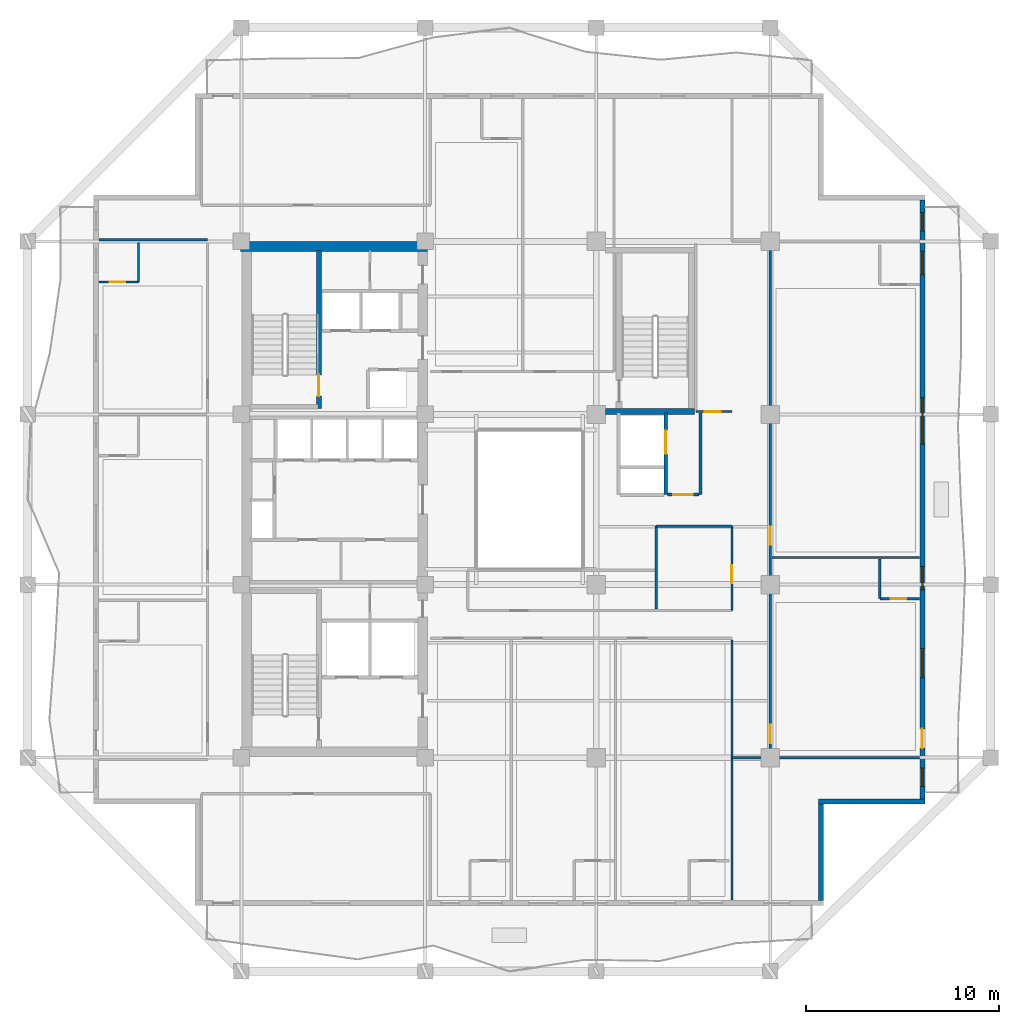
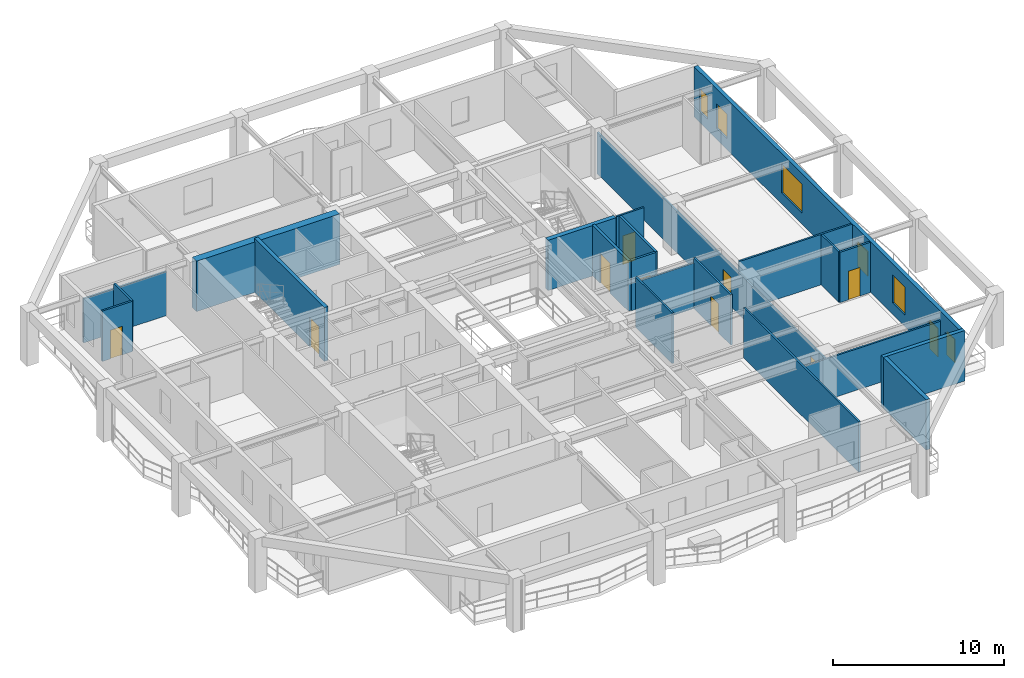
# One storey, part 5 of 13: 22 walls, 10 doors, 6 windows, 16 openings.
"""IFC4 building model written with IfcOpenShell, lengths in metres."""

from ifc_helpers import new_model, si_unit, direction, frame, frame_2d, origin, place, context, subcontext, project, spatial, rectangle, extrude, material, layer, layer_set, type_object, element, fill, save


model = new_model("IFC4")

# Units and contexts
model_context = context("Model", 3, precision=1e-05, world=origin(), true_north=direction((0.0, 1.0)))
body_context = subcontext(model_context, "Body", "Model", "MODEL_VIEW")
ifc_project = project(units=[si_unit("LENGTHUNIT", "METRE"), si_unit("AREAUNIT", "SQUARE_METRE"), si_unit("VOLUMEUNIT", "CUBIC_METRE"), si_unit("PLANEANGLEUNIT", "RADIAN"), si_unit("MASSUNIT", "GRAM", prefix="KILO")], contexts=[model_context])

# Site, building, storey
site_placement = place(None, origin())
site = spatial("IfcSite", under=ifc_project, at=site_placement, CompositionType="ELEMENT")
building_placement = place(site_placement, origin())
building = spatial("IfcBuilding", under=site, at=building_placement, Name="Kundavana Baori Tower", CompositionType="ELEMENT")
storey_placement = place(building_placement, frame((0.0, 0.0, 177.14990234375)))
storey = spatial("IfcBuildingStorey", under=building, at=storey_placement, Name="L43", CompositionType="ELEMENT", Elevation=177.14990234375)

# Wall, opening, door
ifc_material_1 = material(Name="Concrete C50/60", Category="concrete")
ifc_layer_1 = layer(ifc_material_1, 0.39990234375, Name="WL-CORE-400")
ifc_layer_set_1 = layer_set([ifc_layer_1], Name="Concrete C50/60")
wall_type_1 = type_object("IfcWallType", Name="WL-CORE-400", PredefinedType="SHEAR", material=ifc_layer_set_1)
wall_1_placement = place(storey_placement, frame((19.4599609375, 33.300048828125, 0.0), z_axis=(0.0, 0.0, 1.0), x_axis=(0.0, 1.0, 0.0)))
wall_1 = element("IfcWall", 1, at=wall_1_placement, inside=storey, type_object=wall_type_1, Name="WL-L43-ST2-E", PredefinedType="SHEAR", context=body_context, shape_type="SweptSolid", body=[
    extrude(rectangle(XDim=8.179931640625, YDim=0.239990234375, at=frame_2d((4.08984375, 0.0))), origin(), (0.0, 0.0, 1.0), 3.85009765625),
])
opening_1_placement = place(wall_1_placement, frame((0.64990234375, 0.0, 0.0)))
opening_1 = element("IfcOpeningElement", 2, at=opening_1_placement, cuts=wall_1, Name="Opening FD-110", PredefinedType="OPENING", context=body_context, shape_type="SweptSolid", body=[
    extrude(rectangle(XDim=1.10009765625, YDim=2.10009765625, at=frame_2d((0.550048828125, 1.050048828125))), frame((0.0, 0.1298828125, 0.0), z_axis=(0.0, -1.0, 0.0), x_axis=(1.0, 0.0, 0.0)), (0.0, 0.0, 1.0), 0.260009765625),
])
ifc_material_2 = material(Name="Galvanised Steel Fire-Rated Door Leaf", Category="steel")
door_type_1 = type_object("IfcDoorType", Name="DR-FD120-1100", OperationType="NOTDEFINED", PredefinedType="DOOR", material=ifc_material_2)
door_1_placement = place(opening_1_placement, origin())
door_1 = element("IfcDoor", 3, at=door_1_placement, inside=storey, type_object=door_type_1, Name="DR-L43-ST2", OperationType="SINGLE_SWING_RIGHT", OverallHeight=2.10009765625, OverallWidth=1.10009765625, PredefinedType="DOOR", context=body_context, shape_type="SweptSolid", body=[
    extrude(rectangle(XDim=1.10009765625, YDim=2.10009765625, at=frame_2d((0.550048828125, 1.050048828125))), frame((0.0, 0.02490234375, 0.0), z_axis=(0.0, -1.0, 0.0), x_axis=(1.0, 0.0, 0.0)), (0.0, 0.0, 1.0), 0.050048828125),
])
fill(opening_1, door_1)

# Walls
ifc_material_3 = material(Name="Concrete C50/60", Category="concrete")
ifc_layer_2 = layer(ifc_material_3, 0.5, Name="WL-CORE-500")
ifc_layer_set_2 = layer_set([ifc_layer_2], Name="Concrete C50/60")
wall_type_2 = type_object("IfcWallType", Name="WL-CORE-500", PredefinedType="SHEAR", material=ifc_layer_set_2)
wall_2_placement = place(storey_placement, frame((15.39990234375, 41.68994140625, 0.0), z_axis=(0.0, 0.0, 1.0), x_axis=(1.0, 0.0, 0.0)))
element("IfcWall", 4, at=wall_2_placement, inside=storey, type_object=wall_type_2, Name="L43 Offset Core North Shear Wall", PredefinedType="SHEAR", context=body_context, shape_type="SweptSolid", body=[
    extrude(rectangle(XDim=9.68017578125, YDim=0.5, at=frame_2d((4.840087890625, 0.0))), origin(), (0.0, 0.0, 1.0), 3.60009765625),
])
ifc_material_4 = material(Name="Kiln-Fired Terracotta Brick-Slip Masonry on Concrete C40/50", Category="masonry")
ifc_layer_3 = layer(ifc_material_4, 0.260009765625, Name="WL-EXT-BRK-260")
ifc_layer_set_3 = layer_set([ifc_layer_3], Name="Kiln-Fired Terracotta Brick-Slip Masonry on Concrete C40/50")
wall_type_3 = type_object("IfcWallType", Name="WL-EXT-BRK-260", PredefinedType="SOLIDWALL", material=ifc_layer_set_3)
wall_3_placement = place(storey_placement, frame((45.419921875, 7.860107421875, 0.0), z_axis=(0.0, 0.0, 1.0), x_axis=(0.0, 1.0, 0.0)))
element("IfcWall", 5, at=wall_3_placement, inside=storey, type_object=wall_type_3, Name="L43 Exterior Insulated Facade Wall 02", PredefinedType="SOLIDWALL", context=body_context, shape_type="SweptSolid", body=[
    extrude(rectangle(XDim=4.989990234375, YDim=0.260009765625, at=frame_2d((2.4951171875, 0.0))), origin(), (0.0, 0.0, 1.0), 3.60009765625),
])
wall_4_placement = place(storey_placement, frame((45.2900390625, 12.97998046875, 0.0), z_axis=(0.0, 0.0, 1.0), x_axis=(1.0, 0.0, 0.0)))
element("IfcWall", 6, at=wall_4_placement, inside=storey, type_object=wall_type_3, Name="L43 Exterior Insulated Facade Wall 03", PredefinedType="SOLIDWALL", context=body_context, shape_type="SweptSolid", body=[
    extrude(rectangle(XDim=5.510009765625, YDim=0.260009765625, at=frame_2d((2.7548828125, 0.0))), origin(), (0.0, 0.0, 1.0), 3.60009765625),
])

# Wall, openings, door, windows
wall_5_placement = place(storey_placement, frame((50.669921875, 13.110107421875, 0.0), z_axis=(0.0, 0.0, 1.0), x_axis=(0.0, 1.0, 0.0)))
wall_5 = element("IfcWall", 7, at=wall_5_placement, inside=storey, type_object=wall_type_3, Name="L43 Exterior Insulated Facade Wall 04", PredefinedType="SOLIDWALL", context=body_context, shape_type="SweptSolid", body=[
    extrude(rectangle(XDim=30.97998046875, YDim=0.260009765625, at=frame_2d((15.489990234375, 0.0))), origin(), (0.0, 0.0, 1.0), 3.60009765625),
])
opening_2_placement = place(wall_5_placement, frame((0.64990234375, 0.0, 0.800048828125)))
opening_2 = element("IfcOpeningElement", 8, at=opening_2_placement, cuts=wall_5, Name="Opening W-13", PredefinedType="OPENING", context=body_context, shape_type="SweptSolid", body=[
    extrude(rectangle(XDim=0.949951171875, YDim=1.64990234375, at=frame_2d((0.47509765625, 0.824951171875))), frame((0.0, 0.14013671875, 0.0), z_axis=(0.0, -1.0, 0.0), x_axis=(1.0, 0.0, 0.0)), (0.0, 0.0, 1.0), 0.280029296875),
])
opening_3_placement = place(wall_5_placement, frame((2.6298828125, 0.0, 0.0)))
opening_3 = element("IfcOpeningElement", 9, at=opening_3_placement, cuts=wall_5, Name="Opening BD-1", PredefinedType="OPENING", context=body_context, shape_type="SweptSolid", body=[
    extrude(rectangle(XDim=1.0, YDim=2.050048828125, at=frame_2d((0.5, 1.02490234375))), frame((0.0, 0.14013671875, 0.0), z_axis=(0.0, -1.0, 0.0), x_axis=(1.0, 0.0, 0.0)), (0.0, 0.0, 1.0), 0.280029296875),
])
opening_4_placement = place(wall_5_placement, frame((6.27490234375, 0.0, 0.800048828125)))
opening_4 = element("IfcOpeningElement", 10, at=opening_4_placement, cuts=wall_5, Name="Opening W-02", PredefinedType="OPENING", context=body_context, shape_type="SweptSolid", body=[
    extrude(rectangle(XDim=1.5, YDim=2.0, at=frame_2d((0.75, 1.0))), frame((0.0, 0.14013671875, 0.0), z_axis=(0.0, -1.0, 0.0), x_axis=(1.0, 0.0, 0.0)), (0.0, 0.0, 1.0), 0.280029296875),
])
opening_5_placement = place(wall_5_placement, frame((10.824951171875, 0.0, 0.800048828125)))
opening_5 = element("IfcOpeningElement", 11, at=opening_5_placement, cuts=wall_5, Name="Opening W-03", PredefinedType="OPENING", context=body_context, shape_type="SweptSolid", body=[
    extrude(rectangle(XDim=1.199951171875, YDim=1.75, at=frame_2d((0.60009765625, 0.875))), frame((0.0, 0.14013671875, 0.0), z_axis=(0.0, -1.0, 0.0), x_axis=(1.0, 0.0, 0.0)), (0.0, 0.0, 1.0), 0.280029296875),
])
opening_6_placement = place(wall_5_placement, frame((18.35009765625, 0.0, 0.800048828125)))
opening_6 = element("IfcOpeningElement", 12, at=opening_6_placement, cuts=wall_5, Name="Opening W-04", PredefinedType="OPENING", context=body_context, shape_type="SweptSolid", body=[
    extrude(rectangle(XDim=2.39990234375, YDim=2.050048828125, at=frame_2d((1.199951171875, 1.02490234375))), frame((0.0, 0.14013671875, 0.0), z_axis=(0.0, -1.0, 0.0), x_axis=(1.0, 0.0, 0.0)), (0.0, 0.0, 1.0), 0.280029296875),
])
opening_7_placement = place(wall_5_placement, frame((27.125, 0.0, 0.800048828125)))
opening_7 = element("IfcOpeningElement", 13, at=opening_7_placement, cuts=wall_5, Name="Opening W-03", PredefinedType="OPENING", context=body_context, shape_type="SweptSolid", body=[
    extrude(rectangle(XDim=1.199951171875, YDim=1.75, at=frame_2d((0.60009765625, 0.875))), frame((0.0, 0.14013671875, 0.0), z_axis=(0.0, -1.0, 0.0), x_axis=(1.0, 0.0, 0.0)), (0.0, 0.0, 1.0), 0.280029296875),
])
opening_8_placement = place(wall_5_placement, frame((29.3798828125, 0.0, 0.800048828125)))
opening_8 = element("IfcOpeningElement", 14, at=opening_8_placement, cuts=wall_5, Name="Opening W-13", PredefinedType="OPENING", context=body_context, shape_type="SweptSolid", body=[
    extrude(rectangle(XDim=0.949951171875, YDim=1.64990234375, at=frame_2d((0.47509765625, 0.824951171875))), frame((0.0, 0.14013671875, 0.0), z_axis=(0.0, -1.0, 0.0), x_axis=(1.0, 0.0, 0.0)), (0.0, 0.0, 1.0), 0.280029296875),
])
ifc_material_5 = material(Name="Architectural Patinated Bronze Metalwork")
door_type_2 = type_object("IfcDoorType", Name="DR-EXT-LOG-1000", OperationType="NOTDEFINED", PredefinedType="DOOR", material=ifc_material_5)
door_2_placement = place(opening_3_placement, frame((1.0, 0.0, 0.0), z_axis=(0.0, 0.0, 1.0), x_axis=(-1.0, 0.0, 0.0)))
door_2 = element("IfcDoor", 15, at=door_2_placement, inside=storey, type_object=door_type_2, Name="L43 Loggia Balcony Access Door E", OperationType="SINGLE_SWING_LEFT", OverallHeight=2.050048828125, OverallWidth=1.0, PredefinedType="DOOR", context=body_context, shape_type="SweptSolid", body=[
    extrude(rectangle(XDim=1.0, YDim=2.050048828125, at=frame_2d((0.5, 1.02490234375))), frame((0.0, 0.02490234375, 0.0), z_axis=(0.0, -1.0, 0.0), x_axis=(1.0, 0.0, 0.0)), (0.0, 0.0, 1.0), 0.050048828125),
])
fill(opening_3, door_2)
ifc_material_6 = material(Name="Double-Glazed Solar-Control Low-E Insulated Glass", Category="glass")
window_type_1 = type_object("IfcWindowType", Name="WIN-LOG-1200x1750", PartitioningType="SINGLE_PANEL", PredefinedType="WINDOW", material=ifc_material_6)
window_1_placement = place(opening_5_placement, origin())
window_1 = element("IfcWindow", 16, at=window_1_placement, inside=storey, type_object=window_type_1, Name="L43 Recessed Loggia Window E-3", OverallHeight=1.75, OverallWidth=1.199951171875, PartitioningType="SINGLE_PANEL", PredefinedType="WINDOW", context=body_context, shape_type="SweptSolid", body=[
    extrude(rectangle(XDim=1.199951171875, YDim=1.75, at=frame_2d((0.60009765625, 0.875))), frame((0.0, 0.030029296875, 0.0), z_axis=(0.0, -1.0, 0.0), x_axis=(1.0, 0.0, 0.0)), (0.0, 0.0, 1.0), 0.06005859375),
])
fill(opening_5, window_1)
window_2_placement = place(opening_7_placement, origin())
window_2 = element("IfcWindow", 17, at=window_2_placement, inside=storey, type_object=window_type_1, Name="L43 Recessed Loggia Window E-5", OverallHeight=1.75, OverallWidth=1.199951171875, PartitioningType="SINGLE_PANEL", PredefinedType="WINDOW", context=body_context, shape_type="SweptSolid", body=[
    extrude(rectangle(XDim=1.199951171875, YDim=1.75, at=frame_2d((0.60009765625, 0.875))), frame((0.0, 0.030029296875, 0.0), z_axis=(0.0, -1.0, 0.0), x_axis=(1.0, 0.0, 0.0)), (0.0, 0.0, 1.0), 0.06005859375),
])
fill(opening_7, window_2)
ifc_material_7 = material(Name="Double-Glazed Solar-Control Low-E Insulated Glass", Category="glass")
window_type_2 = type_object("IfcWindowType", Name="WIN-LOG-1500x2000", PartitioningType="SINGLE_PANEL", PredefinedType="WINDOW", material=ifc_material_7)
window_3_placement = place(opening_4_placement, origin())
window_3 = element("IfcWindow", 18, at=window_3_placement, inside=storey, type_object=window_type_2, Name="L43 Recessed Loggia Window E-2", OverallHeight=2.0, OverallWidth=1.5, PartitioningType="SINGLE_PANEL", PredefinedType="WINDOW", context=body_context, shape_type="SweptSolid", body=[
    extrude(rectangle(XDim=1.5, YDim=2.0, at=frame_2d((0.75, 1.0))), frame((0.0, 0.030029296875, 0.0), z_axis=(0.0, -1.0, 0.0), x_axis=(1.0, 0.0, 0.0)), (0.0, 0.0, 1.0), 0.06005859375),
])
fill(opening_4, window_3)
ifc_material_8 = material(Name="Double-Glazed Solar-Control Low-E Insulated Glass", Category="glass")
window_type_3 = type_object("IfcWindowType", Name="WIN-LOG-2400x2050", PartitioningType="SINGLE_PANEL", PredefinedType="WINDOW", material=ifc_material_8)
window_4_placement = place(opening_6_placement, origin())
window_4 = element("IfcWindow", 19, at=window_4_placement, inside=storey, type_object=window_type_3, Name="L43 Recessed Loggia Window E-4", OverallHeight=2.050048828125, OverallWidth=2.39990234375, PartitioningType="SINGLE_PANEL", PredefinedType="WINDOW", context=body_context, shape_type="SweptSolid", body=[
    extrude(rectangle(XDim=2.39990234375, YDim=2.050048828125, at=frame_2d((1.199951171875, 1.02490234375))), frame((0.0, 0.030029296875, 0.0), z_axis=(0.0, -1.0, 0.0), x_axis=(1.0, 0.0, 0.0)), (0.0, 0.0, 1.0), 0.06005859375),
])
fill(opening_6, window_4)
ifc_material_9 = material(Name="Double-Glazed Solar-Control Low-E Insulated Glass", Category="glass")
window_type_4 = type_object("IfcWindowType", Name="WIN-LOG-950x1650", PartitioningType="SINGLE_PANEL", PredefinedType="WINDOW", material=ifc_material_9)
window_5_placement = place(opening_2_placement, origin())
window_5 = element("IfcWindow", 20, at=window_5_placement, inside=storey, type_object=window_type_4, Name="L43 Recessed Loggia Window E-1", OverallHeight=1.64990234375, OverallWidth=0.949951171875, PartitioningType="SINGLE_PANEL", PredefinedType="WINDOW", context=body_context, shape_type="SweptSolid", body=[
    extrude(rectangle(XDim=0.949951171875, YDim=1.64990234375, at=frame_2d((0.47509765625, 0.824951171875))), frame((0.0, 0.030029296875, 0.0), z_axis=(0.0, -1.0, 0.0), x_axis=(1.0, 0.0, 0.0)), (0.0, 0.0, 1.0), 0.06005859375),
])
fill(opening_2, window_5)
window_6_placement = place(opening_8_placement, origin())
window_6 = element("IfcWindow", 21, at=window_6_placement, inside=storey, type_object=window_type_4, Name="L43 Recessed Loggia Window E-6", OverallHeight=1.64990234375, OverallWidth=0.949951171875, PartitioningType="SINGLE_PANEL", PredefinedType="WINDOW", context=body_context, shape_type="SweptSolid", body=[
    extrude(rectangle(XDim=0.949951171875, YDim=1.64990234375, at=frame_2d((0.47509765625, 0.824951171875))), frame((0.0, 0.030029296875, 0.0), z_axis=(0.0, -1.0, 0.0), x_axis=(1.0, 0.0, 0.0)), (0.0, 0.0, 1.0), 0.06005859375),
])
fill(opening_8, window_6)

# Wall, openings, doors
ifc_material_10 = material(Name="Acoustic Gypsum Plasterboard on Galvanised Steel Studs", Category="steel")
ifc_layer_4 = layer(ifc_material_10, 0.1201171875, Name="WL-PART-120")
ifc_layer_set_4 = layer_set([ifc_layer_4], Name="Acoustic Gypsum Plasterboard on Galvanised Steel Studs")
wall_type_4 = type_object("IfcWallType", Name="WL-PART-120", PredefinedType="PARTITIONING", material=ifc_layer_set_4)
wall_6_placement = place(storey_placement, frame((42.800048828125, 15.25, 0.0), z_axis=(0.0, 0.0, 1.0), x_axis=(0.0, 1.0, 0.0)))
wall_6 = element("IfcWall", 22, at=wall_6_placement, inside=storey, type_object=wall_type_4, Name="WL-L43-HE", PredefinedType="PARTITIONING", context=body_context, shape_type="SweptSolid", body=[
    extrude(rectangle(XDim=26.699951171875, YDim=0.1201171875, at=frame_2d((13.35009765625, 0.0))), origin(), (0.0, 0.0, 1.0), 2.9501953125),
])
opening_9_placement = place(wall_6_placement, frame((0.75, 0.0, 0.0)))
opening_9 = element("IfcOpeningElement", 23, at=opening_9_placement, cuts=wall_6, Name="Opening FD-095", PredefinedType="OPENING", context=body_context, shape_type="SweptSolid", body=[
    extrude(rectangle(XDim=0.949951171875, YDim=2.10009765625, at=frame_2d((0.47509765625, 1.050048828125))), frame((0.0, 0.070068359375, 0.0), z_axis=(0.0, -1.0, 0.0), x_axis=(1.0, 0.0, 0.0)), (0.0, 0.0, 1.0), 0.14013671875),
])
opening_10_placement = place(wall_6_placement, frame((11.0, 0.0, 0.0)))
opening_10 = element("IfcOpeningElement", 24, at=opening_10_placement, cuts=wall_6, Name="Opening FD-095", PredefinedType="OPENING", context=body_context, shape_type="SweptSolid", body=[
    extrude(rectangle(XDim=0.949951171875, YDim=2.10009765625, at=frame_2d((0.47509765625, 1.050048828125))), frame((0.0, 0.070068359375, 0.0), z_axis=(0.0, -1.0, 0.0), x_axis=(1.0, 0.0, 0.0)), (0.0, 0.0, 1.0), 0.14013671875),
])
ifc_material_11 = material(Name="Engineered Teak Fire-Rated Timber Door Leaf", Category="wood")
door_type_3 = type_object("IfcDoorType", Name="DR-FD60-950", OperationType="NOTDEFINED", PredefinedType="DOOR", material=ifc_material_11)
door_3_placement = place(opening_9_placement, origin())
door_3 = element("IfcDoor", 25, at=door_3_placement, inside=storey, type_object=door_type_3, Name="DR-L43-HK-E1-ENT", OperationType="SINGLE_SWING_LEFT", OverallHeight=2.10009765625, OverallWidth=0.949951171875, PredefinedType="DOOR", context=body_context, shape_type="SweptSolid", body=[
    extrude(rectangle(XDim=0.949951171875, YDim=2.10009765625, at=frame_2d((0.47509765625, 1.050048828125))), frame((0.0, 0.02490234375, 0.0), z_axis=(0.0, -1.0, 0.0), x_axis=(1.0, 0.0, 0.0)), (0.0, 0.0, 1.0), 0.050048828125),
])
fill(opening_9, door_3)
door_4_placement = place(opening_10_placement, origin())
door_4 = element("IfcDoor", 26, at=door_4_placement, inside=storey, type_object=door_type_3, Name="DR-L43-HK-E2-ENT", OperationType="SINGLE_SWING_LEFT", OverallHeight=2.10009765625, OverallWidth=0.949951171875, PredefinedType="DOOR", context=body_context, shape_type="SweptSolid", body=[
    extrude(rectangle(XDim=0.949951171875, YDim=2.10009765625, at=frame_2d((0.47509765625, 1.050048828125))), frame((0.0, 0.02490234375, 0.0), z_axis=(0.0, -1.0, 0.0), x_axis=(1.0, 0.0, 0.0)), (0.0, 0.0, 1.0), 0.050048828125),
])
fill(opening_10, door_4)

# Wall
wall_7_placement = place(storey_placement, frame((40.820068359375, 15.25, 0.0), z_axis=(0.0, 0.0, 1.0), x_axis=(1.0, 0.0, 0.0)))
element("IfcWall", 27, at=wall_7_placement, inside=storey, type_object=wall_type_4, Name="WL-L43-HES", PredefinedType="PARTITIONING", context=body_context, shape_type="SweptSolid", body=[
    extrude(rectangle(XDim=9.699951171875, YDim=0.1201171875, at=frame_2d((4.85009765625, 0.0))), origin(), (0.0, 0.0, 1.0), 2.9501953125),
])

# Wall, opening, door
wall_8_placement = place(storey_placement, frame((40.820068359375, 22.860107421875, 0.0), z_axis=(0.0, 0.0, 1.0), x_axis=(0.0, 1.0, 0.0)))
wall_8 = element("IfcWall", 28, at=wall_8_placement, inside=storey, type_object=wall_type_4, Name="WL-L43-HEW", PredefinedType="PARTITIONING", context=body_context, shape_type="SweptSolid", body=[
    extrude(rectangle(XDim=4.35986328125, YDim=0.1201171875, at=frame_2d((2.179931640625, 0.0))), origin(), (0.0, 0.0, 1.0), 3.60009765625),
])
opening_11_placement = place(wall_8_placement, frame((1.39990234375, 0.0, 0.0)))
opening_11 = element("IfcOpeningElement", 29, at=opening_11_placement, cuts=wall_8, Name="Opening FD-095", PredefinedType="OPENING", context=body_context, shape_type="SweptSolid", body=[
    extrude(rectangle(XDim=0.949951171875, YDim=2.10009765625, at=frame_2d((0.47509765625, 1.050048828125))), frame((0.0, 0.070068359375, 0.0), z_axis=(0.0, -1.0, 0.0), x_axis=(1.0, 0.0, 0.0)), (0.0, 0.0, 1.0), 0.14013671875),
])
door_5_placement = place(opening_11_placement, frame((0.949951171875, 0.0, 0.0), z_axis=(0.0, 0.0, 1.0), x_axis=(-1.0, 0.0, 0.0)))
door_5 = element("IfcDoor", 30, at=door_5_placement, inside=storey, type_object=door_type_3, Name="DR-L43-HSK", OperationType="SINGLE_SWING_RIGHT", OverallHeight=2.10009765625, OverallWidth=0.949951171875, PredefinedType="DOOR", context=body_context, shape_type="SweptSolid", body=[
    extrude(rectangle(XDim=0.949951171875, YDim=2.10009765625, at=frame_2d((0.47509765625, 1.050048828125))), frame((0.0, 0.02490234375, 0.0), z_axis=(0.0, -1.0, 0.0), x_axis=(1.0, 0.0, 0.0)), (0.0, 0.0, 1.0), 0.050048828125),
])
fill(opening_11, door_5)

# Walls
wall_9_placement = place(storey_placement, frame((8.080078125, 42.0400390625, 0.0), z_axis=(0.0, 0.0, 1.0), x_axis=(1.0, 0.0, 0.0)))
element("IfcWall", 31, at=wall_9_placement, inside=storey, type_object=wall_type_4, Name="WL-L43-HWN", PredefinedType="PARTITIONING", context=body_context, shape_type="SweptSolid", body=[
    extrude(rectangle(XDim=5.619873046875, YDim=0.1201171875, at=frame_2d((2.81005859375, 0.0))), origin(), (0.0, 0.0, 1.0), 3.150146484375),
])
wall_10_placement = place(storey_placement, frame((36.89990234375, 27.219970703125, 0.0), z_axis=(0.0, 0.0, 1.0), x_axis=(1.0, 0.0, 0.0)))
element("IfcWall", 32, at=wall_10_placement, inside=storey, type_object=wall_type_4, Name="WL-L43-HKN", PredefinedType="PARTITIONING", context=body_context, shape_type="SweptSolid", body=[
    extrude(rectangle(XDim=3.920166015625, YDim=0.1201171875, at=frame_2d((1.9599609375, 0.0))), origin(), (0.0, 0.0, 1.0), 3.25),
])
wall_11_placement = place(storey_placement, frame((36.89990234375, 22.93994140625, 0.0), z_axis=(0.0, 0.0, 1.0), x_axis=(0.0, 1.0, 0.0)))
element("IfcWall", 33, at=wall_11_placement, inside=storey, type_object=wall_type_4, Name="WL-L43-HKD", PredefinedType="PARTITIONING", context=body_context, shape_type="SweptSolid", body=[
    extrude(rectangle(XDim=4.280029296875, YDim=0.1201171875, at=frame_2d((2.14013671875, 0.0))), origin(), (0.0, 0.0, 1.0), 3.60009765625),
])
wall_12_placement = place(storey_placement, frame((40.820068359375, 7.8798828125, 0.0), z_axis=(0.0, 0.0, 1.0), x_axis=(0.0, 1.0, 0.0)))
element("IfcWall", 34, at=wall_12_placement, inside=storey, type_object=wall_type_4, Name="WL-L43-HSEND", PredefinedType="PARTITIONING", context=body_context, shape_type="SweptSolid", body=[
    extrude(rectangle(XDim=13.460205078125, YDim=0.1201171875, at=frame_2d((6.72998046875, 0.0))), origin(), (0.0, 0.0, 1.0), 3.60009765625),
])
wall_13_placement = place(storey_placement, frame((42.8798828125, 25.60009765625, 0.0), z_axis=(0.0, 0.0, 1.0), x_axis=(1.0, 0.0, 0.0)))
element("IfcWall", 35, at=wall_13_placement, inside=storey, type_object=wall_type_4, Name="WL-L43-HED1", PredefinedType="PARTITIONING", context=body_context, shape_type="SweptSolid", body=[
    extrude(rectangle(XDim=7.64013671875, YDim=0.1201171875, at=frame_2d((3.820068359375, 0.0))), origin(), (0.0, 0.0, 1.0), 3.60009765625),
])

# Wall, opening, door
wall_14_placement = place(storey_placement, frame((38.949951171875, 33.14990234375, 0.0), z_axis=(0.0, 0.0, 1.0), x_axis=(1.0, 0.0, 0.0)))
wall_14 = element("IfcWall", 36, at=wall_14_placement, inside=storey, type_object=wall_type_4, Name="WL-L43-HNES", PredefinedType="PARTITIONING", context=body_context, shape_type="SweptSolid", body=[
    extrude(rectangle(XDim=1.8701171875, YDim=0.1201171875, at=frame_2d((0.93505859375, 0.0))), origin(), (0.0, 0.0, 1.0), 3.60009765625),
])
opening_12_placement = place(wall_14_placement, frame((0.449951171875, 0.0, 0.0)))
opening_12 = element("IfcOpeningElement", 37, at=opening_12_placement, cuts=wall_14, Name="Opening WD-085", PredefinedType="OPENING", context=body_context, shape_type="SweptSolid", body=[
    extrude(rectangle(XDim=0.85009765625, YDim=2.050048828125, at=frame_2d((0.425048828125, 1.02490234375))), frame((0.0, 0.070068359375, 0.0), z_axis=(0.0, -1.0, 0.0), x_axis=(1.0, 0.0, 0.0)), (0.0, 0.0, 1.0), 0.14013671875),
])
ifc_material_12 = material(Name="Engineered Teak Solid-Core Timber Veneer", Category="wood")
door_type_4 = type_object("IfcDoorType", Name="DR-WET-850", OperationType="NOTDEFINED", PredefinedType="DOOR", material=ifc_material_12)
door_6_placement = place(opening_12_placement, origin())
door_6 = element("IfcDoor", 38, at=door_6_placement, inside=storey, type_object=door_type_4, Name="DR-L43-HLNE", OperationType="SINGLE_SWING_LEFT", OverallHeight=2.050048828125, OverallWidth=0.85009765625, PredefinedType="DOOR", context=body_context, shape_type="SweptSolid", body=[
    extrude(rectangle(XDim=0.85009765625, YDim=2.050048828125, at=frame_2d((0.425048828125, 1.02490234375))), frame((0.0, 0.02490234375, 0.0), z_axis=(0.0, -1.0, 0.0), x_axis=(1.0, 0.0, 0.0)), (0.0, 0.0, 1.0), 0.050048828125),
])
fill(opening_12, door_6)

# Wall
ifc_material_13 = material(Name="Fire-Rated Gypsum Drywall on Galvanised Steel Studs", Category="steel")
ifc_layer_5 = layer(ifc_material_13, 0.14990234375, Name="WL-PART-150")
ifc_layer_set_5 = layer_set([ifc_layer_5], Name="Fire-Rated Gypsum Drywall on Galvanised Steel Studs")
wall_type_5 = type_object("IfcWallType", Name="WL-PART-150", PredefinedType="PARTITIONING", material=ifc_layer_set_5)
wall_15_placement = place(storey_placement, frame((39.199951171875, 28.860107421875, 0.0), z_axis=(0.0, 0.0, 1.0), x_axis=(0.0, 1.0, 0.0)))
element("IfcWall", 39, at=wall_15_placement, inside=storey, type_object=wall_type_5, Name="WL-L43-SVLOB-E", PredefinedType="PARTITIONING", context=body_context, shape_type="SweptSolid", body=[
    extrude(rectangle(XDim=4.219970703125, YDim=0.14990234375, at=frame_2d((2.10986328125, 0.0))), origin(), (0.0, 0.0, 1.0), 3.60009765625),
])

# Wall, opening, door
wall_16_placement = place(storey_placement, frame((37.47998046875, 28.860107421875, 0.0), z_axis=(0.0, 0.0, 1.0), x_axis=(1.0, 0.0, 0.0)))
wall_16 = element("IfcWall", 40, at=wall_16_placement, inside=storey, type_object=wall_type_5, Name="WL-L43-SVLOB-S", PredefinedType="PARTITIONING", context=body_context, shape_type="SweptSolid", body=[
    extrude(rectangle(XDim=1.64013671875, YDim=0.14990234375, at=frame_2d((0.820068359375, 0.0))), origin(), (0.0, 0.0, 1.0), 3.60009765625),
])
opening_13_placement = place(wall_16_placement, frame((0.300048828125, 0.0, 0.0)))
opening_13 = element("IfcOpeningElement", 41, at=opening_13_placement, cuts=wall_16, Name="Opening FD-100", PredefinedType="OPENING", context=body_context, shape_type="SweptSolid", body=[
    extrude(rectangle(XDim=1.0, YDim=2.10009765625, at=frame_2d((0.5, 1.050048828125))), frame((0.0, 0.0849609375, 0.0), z_axis=(0.0, -1.0, 0.0), x_axis=(1.0, 0.0, 0.0)), (0.0, 0.0, 1.0), 0.169921875),
])
ifc_material_14 = material(Name="Engineered Teak Fire-Rated Timber Door Leaf", Category="wood")
door_type_5 = type_object("IfcDoorType", Name="DR-FD60-1000", OperationType="NOTDEFINED", PredefinedType="DOOR", material=ifc_material_14)
door_7_placement = place(opening_13_placement, origin())
door_7 = element("IfcDoor", 42, at=door_7_placement, inside=storey, type_object=door_type_5, Name="DR-L43-SVLOB-OUT", OperationType="SINGLE_SWING_LEFT", OverallHeight=2.10009765625, OverallWidth=1.0, PredefinedType="DOOR", context=body_context, shape_type="SweptSolid", body=[
    extrude(rectangle(XDim=1.0, YDim=2.10009765625, at=frame_2d((0.5, 1.050048828125))), frame((0.0, 0.02490234375, 0.0), z_axis=(0.0, -1.0, 0.0), x_axis=(1.0, 0.0, 0.0)), (0.0, 0.0, 1.0), 0.050048828125),
])
fill(opening_13, door_7)

ifc_material_15 = material(Name="Autoclaved Aerated Concrete Blockwork Masonry", Category="masonry")
ifc_layer_6 = layer(ifc_material_15, 0.179931640625, Name="WL-SHAFT-180")
ifc_layer_set_6 = layer_set([ifc_layer_6], Name="Autoclaved Aerated Concrete Blockwork Masonry")
wall_type_6 = type_object("IfcWallType", Name="WL-SHAFT-180", PredefinedType="SOLIDWALL", material=ifc_layer_set_6)
wall_17_placement = place(storey_placement, frame((37.389892578125, 28.860107421875, 0.0), z_axis=(0.0, 0.0, 1.0), x_axis=(0.0, 1.0, 0.0)))
wall_17 = element("IfcWall", 43, at=wall_17_placement, inside=storey, type_object=wall_type_6, Name="WL-L43-SVL-E", PredefinedType="SOLIDWALL", context=body_context, shape_type="SweptSolid", body=[
    extrude(rectangle(XDim=4.219970703125, YDim=0.179931640625, at=frame_2d((2.10986328125, 0.0))), origin(), (0.0, 0.0, 1.0), 3.60009765625),
])
opening_14_placement = place(wall_17_placement, frame((2.10009765625, 0.0, 0.0)))
opening_14 = element("IfcOpeningElement", 44, at=opening_14_placement, cuts=wall_17, Name="Opening LD-120", PredefinedType="OPENING", context=body_context, shape_type="SweptSolid", body=[
    extrude(rectangle(XDim=1.199951171875, YDim=2.1201171875, at=frame_2d((0.60009765625, 1.06005859375))), frame((0.0, 0.10009765625, 0.0), z_axis=(0.0, -1.0, 0.0), x_axis=(1.0, 0.0, 0.0)), (0.0, 0.0, 1.0), 0.199951171875),
])
ifc_material_16 = material(Name="Galvanised Steel Fire-Rated Door Leaf", Category="steel")
door_type_6 = type_object("IfcDoorType", Name="DR-SLIDE-LD1200", OperationType="NOTDEFINED", PredefinedType="DOOR", material=ifc_material_16)
door_8_placement = place(opening_14_placement, frame((1.199951171875, 0.0, 0.0), z_axis=(0.0, 0.0, 1.0), x_axis=(-1.0, 0.0, 0.0)))
door_8 = element("IfcDoor", 45, at=door_8_placement, inside=storey, type_object=door_type_6, Name="DR-L43-LD-SVL1", OperationType="DOUBLE_DOOR_SLIDING", OverallHeight=2.1201171875, OverallWidth=1.199951171875, PredefinedType="DOOR", context=body_context, shape_type="SweptSolid", body=[
    extrude(rectangle(XDim=1.199951171875, YDim=2.1201171875, at=frame_2d((0.60009765625, 1.06005859375))), frame((0.0, 0.02490234375, 0.0), z_axis=(0.0, -1.0, 0.0), x_axis=(1.0, 0.0, 0.0)), (0.0, 0.0, 1.0), 0.050048828125),
])
fill(opening_14, door_8)

# Walls
ifc_material_17 = material(Name="Concrete C50/60", Category="concrete")
ifc_layer_7 = layer(ifc_material_17, 0.300048828125, Name="WL-ST3-300")
ifc_layer_set_7 = layer_set([ifc_layer_7], Name="Concrete C50/60")
wall_type_7 = type_object("IfcWallType", Name="WL-ST3-300", PredefinedType="SHEAR", material=ifc_layer_set_7)
wall_18_placement = place(storey_placement, frame((34.27490234375, 33.159912109375, 0.0), z_axis=(0.0, 0.0, 1.0), x_axis=(1.0, 0.0, 0.0)))
element("IfcWall", 46, at=wall_18_placement, inside=storey, type_object=wall_type_7, Name="L43 Stair ST3 South Shear Wall", PredefinedType="SHEAR", context=body_context, shape_type="SweptSolid", body=[
    extrude(rectangle(XDim=4.59521484375, YDim=0.300048828125, at=frame_2d((2.297607421875, 0.0))), origin(), (0.0, 0.0, 1.0), 3.60009765625),
])
ifc_material_18 = material(Name="Autoclaved Aerated Concrete Blockwork Masonry", Category="masonry")
ifc_layer_8 = layer(ifc_material_18, 0.125, Name="WL-WET-120")
ifc_layer_set_8 = layer_set([ifc_layer_8], Name="Autoclaved Aerated Concrete Blockwork Masonry")
wall_type_8 = type_object("IfcWallType", Name="WL-WET-120", PredefinedType="PLUMBINGWALL", material=ifc_layer_set_8)
wall_19_placement = place(storey_placement, frame((10.1298828125, 39.85009765625, 0.0), z_axis=(0.0, 0.0, 1.0), x_axis=(0.0, 1.0, 0.0)))
element("IfcWall", 47, at=wall_19_placement, inside=storey, type_object=wall_type_8, Name="WL-L43-HK-W3-BE", PredefinedType="PLUMBINGWALL", context=body_context, shape_type="SweptSolid", body=[
    extrude(rectangle(XDim=2.0498046875, YDim=0.125, at=frame_2d((1.02490234375, 0.0))), origin(), (0.0, 0.0, 1.0), 3.60009765625),
])

# Wall, opening, door
wall_20_placement = place(storey_placement, frame((8.080078125, 39.85009765625, 0.0), z_axis=(0.0, 0.0, 1.0), x_axis=(1.0, 0.0, 0.0)))
wall_20 = element("IfcWall", 48, at=wall_20_placement, inside=storey, type_object=wall_type_8, Name="WL-L43-HK-W3-BS", PredefinedType="PLUMBINGWALL", context=body_context, shape_type="SweptSolid", body=[
    extrude(rectangle(XDim=2.0498046875, YDim=0.125, at=frame_2d((1.02490234375, 0.0))), origin(), (0.0, 0.0, 1.0), 3.60009765625),
])
opening_15_placement = place(wall_20_placement, frame((0.550048828125, 0.0, 0.0)))
opening_15 = element("IfcOpeningElement", 49, at=opening_15_placement, cuts=wall_20, Name="Opening WD-080", PredefinedType="OPENING", context=body_context, shape_type="SweptSolid", body=[
    extrude(rectangle(XDim=0.800048828125, YDim=2.050048828125, at=frame_2d((0.39990234375, 1.02490234375))), frame((0.0, 0.072509765625, 0.0), z_axis=(0.0, -1.0, 0.0), x_axis=(1.0, 0.0, 0.0)), (0.0, 0.0, 1.0), 0.14501953125),
])
ifc_material_19 = material(Name="Engineered Teak Solid-Core Timber Veneer", Category="wood")
door_type_7 = type_object("IfcDoorType", Name="DR-WET-800", OperationType="NOTDEFINED", PredefinedType="DOOR", material=ifc_material_19)
door_9_placement = place(opening_15_placement, frame((0.800048828125, 0.0, 0.0), z_axis=(0.0, 0.0, 1.0), x_axis=(-1.0, 0.0, 0.0)))
door_9 = element("IfcDoor", 50, at=door_9_placement, inside=storey, type_object=door_type_7, Name="DR-L43-HK-W3-ENS", OperationType="SINGLE_SWING_LEFT", OverallHeight=2.050048828125, OverallWidth=0.800048828125, PredefinedType="DOOR", context=body_context, shape_type="SweptSolid", body=[
    extrude(rectangle(XDim=0.800048828125, YDim=2.050048828125, at=frame_2d((0.39990234375, 1.02490234375))), frame((0.0, 0.02490234375, 0.0), z_axis=(0.0, -1.0, 0.0), x_axis=(1.0, 0.0, 0.0)), (0.0, 0.0, 1.0), 0.050048828125),
])
fill(opening_15, door_9)

# Wall
wall_21_placement = place(storey_placement, frame((48.469970703125, 23.469970703125, 0.0), z_axis=(0.0, 0.0, 1.0), x_axis=(0.0, 1.0, 0.0)))
element("IfcWall", 51, at=wall_21_placement, inside=storey, type_object=wall_type_8, Name="WL-L43-HK-E1-BW", PredefinedType="PLUMBINGWALL", context=body_context, shape_type="SweptSolid", body=[
    extrude(rectangle(XDim=2.050048828125, YDim=0.125, at=frame_2d((1.02490234375, 0.0))), origin(), (0.0, 0.0, 1.0), 3.60009765625),
])

# Wall, opening, door
wall_22_placement = place(storey_placement, frame((48.469970703125, 23.469970703125, 0.0), z_axis=(0.0, 0.0, 1.0), x_axis=(1.0, 0.0, 0.0)))
wall_22 = element("IfcWall", 52, at=wall_22_placement, inside=storey, type_object=wall_type_8, Name="WL-L43-HK-E1-BS", PredefinedType="PLUMBINGWALL", context=body_context, shape_type="SweptSolid", body=[
    extrude(rectangle(XDim=2.050048828125, YDim=0.125, at=frame_2d((1.02490234375, 0.0))), origin(), (0.0, 0.0, 1.0), 3.60009765625),
])
opening_16_placement = place(wall_22_placement, frame((0.550048828125, 0.0, 0.0)))
opening_16 = element("IfcOpeningElement", 53, at=opening_16_placement, cuts=wall_22, Name="Opening WD-080", PredefinedType="OPENING", context=body_context, shape_type="SweptSolid", body=[
    extrude(rectangle(XDim=0.800048828125, YDim=2.050048828125, at=frame_2d((0.39990234375, 1.02490234375))), frame((0.0, 0.072509765625, 0.0), z_axis=(0.0, -1.0, 0.0), x_axis=(1.0, 0.0, 0.0)), (0.0, 0.0, 1.0), 0.14501953125),
])
door_10_placement = place(opening_16_placement, frame((0.800048828125, 0.0, 0.0), z_axis=(0.0, 0.0, 1.0), x_axis=(-1.0, 0.0, 0.0)))
door_10 = element("IfcDoor", 54, at=door_10_placement, inside=storey, type_object=door_type_7, Name="DR-L43-HK-E1-ENS", OperationType="SINGLE_SWING_LEFT", OverallHeight=2.050048828125, OverallWidth=0.800048828125, PredefinedType="DOOR", context=body_context, shape_type="SweptSolid", body=[
    extrude(rectangle(XDim=0.800048828125, YDim=2.050048828125, at=frame_2d((0.39990234375, 1.02490234375))), frame((0.0, 0.02490234375, 0.0), z_axis=(0.0, -1.0, 0.0), x_axis=(1.0, 0.0, 0.0)), (0.0, 0.0, 1.0), 0.050048828125),
])
fill(opening_16, door_10)

save(model, "model.ifc")
